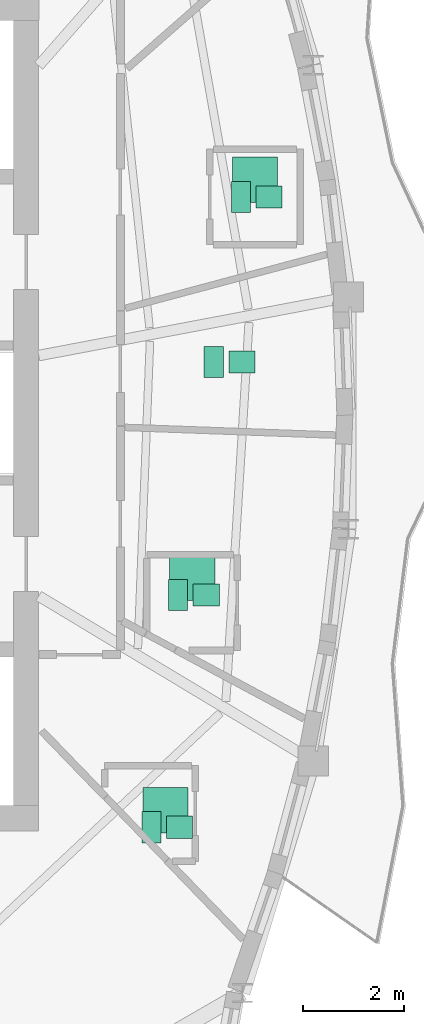
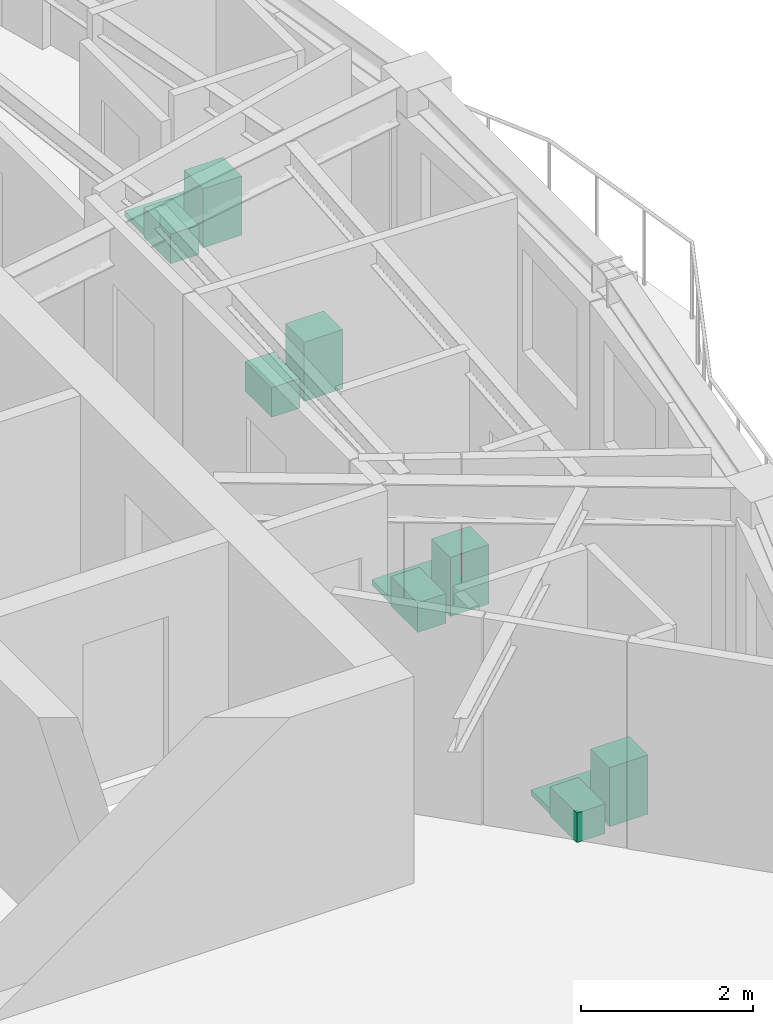
# One storey, part 14 of 14: 11 sanitary terminals.
"""IFC4 building model written with IfcOpenShell, lengths in metres."""

from ifc_helpers import new_model, si_unit, direction, frame, origin, origin_2d, place, context, subcontext, project, spatial, rectangle, extrude, source, transform, mapped, material, type_object, element, save


model = new_model("IFC4")

# Units and contexts
model_context = context("Model", 3, precision=1e-05, world=origin(), true_north=direction((0.0, 1.0)))
body_context = subcontext(model_context, "Body", "Model", "MODEL_VIEW")
ifc_project = project(units=[si_unit("LENGTHUNIT", "METRE"), si_unit("AREAUNIT", "SQUARE_METRE"), si_unit("VOLUMEUNIT", "CUBIC_METRE"), si_unit("PLANEANGLEUNIT", "RADIAN"), si_unit("MASSUNIT", "GRAM", prefix="KILO")], contexts=[model_context])

# Site, building, storey
site_placement = place(None, origin())
site = spatial("IfcSite", under=ifc_project, at=site_placement, CompositionType="ELEMENT")
building_placement = place(site_placement, origin())
building = spatial("IfcBuilding", under=site, at=building_placement, Name="Qafzar Sky-Pleat Residences", CompositionType="ELEMENT")
storey_placement = place(building_placement, frame((0.0, 0.0, 205.199951171875)))
storey = spatial("IfcBuildingStorey", under=building, at=storey_placement, Name="L61", CompositionType="ELEMENT", Elevation=205.199951171875)

# Sanitary terminals
ifc_material_1 = material(Name="Vitreous china sanitaryware")
sanitary_terminal_type_1 = type_object("IfcSanitaryTerminalType", Name="SAN-WC-PAN", PredefinedType="TOILETPAN", material=ifc_material_1)
shared_shape_1 = source(origin(), body_context, "Body", "SweptSolid", [
    extrude(rectangle(XDim=0.3798828125, YDim=0.6201171875, at=origin_2d()), origin(), (0.0, 0.0, 1.0), 0.419921875),
])
for number, where, z_axis, x_axis, name in (
    (1, (38.638916015625, 17.7705078125, 0.0), (0.0, 0.0, 1.0), (1.0, 0.0, 0.0), "L61 En-suite Bathroom 1 WC Pan"),
    (2, (39.1669921875, 22.385498046875, 0.0), (0.0, 0.0, 1.0), (1.0, 0.0, 0.0), "L61 En-suite Bathroom 2 WC Pan"),
    (3, (39.87646484375, 27.011474609375, 0.0), (0.0, 0.0, 1.0), (1.0, 0.0, 0.0), "L61 Accessible Shared Washroom WC Pan"),
    (4, (40.4150390625, 30.2939453125, 0.0), (0.0, 0.0, 1.0), (1.0, 0.0, 0.0), "L61 En-suite Bathroom 3 WC Pan"),
):
    element("IfcSanitaryTerminal", number, at=place(storey_placement, frame(where, z_axis=z_axis, x_axis=x_axis)), inside=storey, type_object=sanitary_terminal_type_1, Name=name, PredefinedType="TOILETPAN", context=body_context, shape_type="MappedRepresentation", body=[
        mapped(shared_shape_1, transform((0.0, 0.0, 0.0), x_axis=(1.0, 0.0, 0.0), y_axis=(0.0, 1.0, 0.0), z_axis=(0.0, 0.0, 1.0), scale=1.0)),
    ])
sanitary_terminal_type_2 = type_object("IfcSanitaryTerminalType", Name="SAN-BASIN", PredefinedType="WASHHANDBASIN", material=ifc_material_1)
shared_shape_2 = source(origin(), body_context, "Body", "SweptSolid", [
    extrude(rectangle(XDim=0.52001953125, YDim=0.43994140625, at=origin_2d()), origin(), (0.0, 0.0, 1.0), 0.840087890625),
])
for number, where, z_axis, x_axis, name in (
    (5, (39.198974609375, 17.7705078125, 0.0), (0.0, 0.0, 1.0), (1.0, 0.0, 0.0), "L61 En-suite Bathroom 1 Pedestal Washbasin"),
    (6, (39.72705078125, 22.385498046875, 0.0), (0.0, 0.0, 1.0), (1.0, 0.0, 0.0), "L61 En-suite Bathroom 2 Pedestal Washbasin"),
    (7, (40.4365234375, 27.011474609375, 0.0), (0.0, 0.0, 1.0), (1.0, 0.0, 0.0), "L61 Accessible Shared Washroom Pedestal Washbasin"),
    (8, (40.97509765625, 30.2939453125, 0.0), (0.0, 0.0, 1.0), (1.0, 0.0, 0.0), "L61 En-suite Bathroom 3 Pedestal Washbasin"),
):
    element("IfcSanitaryTerminal", number, at=place(storey_placement, frame(where, z_axis=z_axis, x_axis=x_axis)), inside=storey, type_object=sanitary_terminal_type_2, Name=name, PredefinedType="WASHHANDBASIN", context=body_context, shape_type="MappedRepresentation", body=[
        mapped(shared_shape_2, transform((0.0, 0.0, 0.0), x_axis=(1.0, 0.0, 0.0), y_axis=(0.0, 1.0, 0.0), z_axis=(0.0, 0.0, 1.0), scale=1.0)),
    ])
ifc_material_2 = material(Name="Vitreous china and acrylic tray")
sanitary_terminal_type_3 = type_object("IfcSanitaryTerminalType", Name="SAN-SHOWER", PredefinedType="SHOWER", material=ifc_material_2)
shared_shape_3 = source(origin(), body_context, "Body", "SweptSolid", [
    extrude(rectangle(XDim=0.89990234375, YDim=0.89990234375, at=origin_2d()), origin(), (0.0, 0.0, 1.0), 0.080078125),
])
for number, where, z_axis, x_axis, name in (
    (9, (38.9189453125, 18.110595703125, 0.0), (0.0, 0.0, 1.0), (1.0, 0.0, 0.0), "L61 En-suite Bathroom 1 Walk-In Shower"),
    (10, (39.447021484375, 22.7255859375, 0.0), (0.0, 0.0, 1.0), (1.0, 0.0, 0.0), "L61 En-suite Bathroom 2 Walk-In Shower"),
    (11, (40.695068359375, 30.634033203125, 0.0), (0.0, 0.0, 1.0), (1.0, 0.0, 0.0), "L61 En-suite Bathroom 3 Walk-In Shower"),
):
    element("IfcSanitaryTerminal", number, at=place(storey_placement, frame(where, z_axis=z_axis, x_axis=x_axis)), inside=storey, type_object=sanitary_terminal_type_3, Name=name, PredefinedType="SHOWER", context=body_context, shape_type="MappedRepresentation", body=[
        mapped(shared_shape_3, transform((0.0, 0.0, 0.0), x_axis=(1.0, 0.0, 0.0), y_axis=(0.0, 1.0, 0.0), z_axis=(0.0, 0.0, 1.0), scale=1.0)),
    ])

save(model, "model.ifc")
